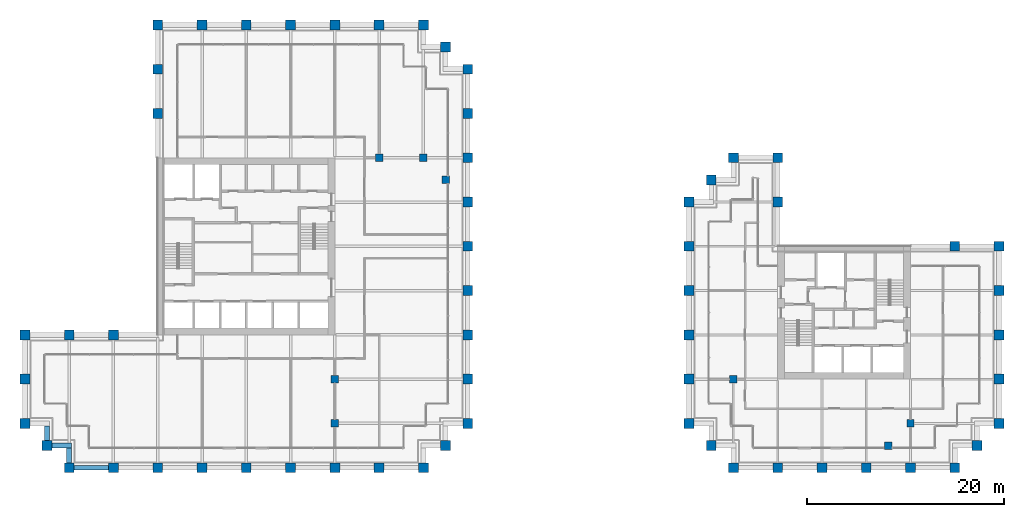
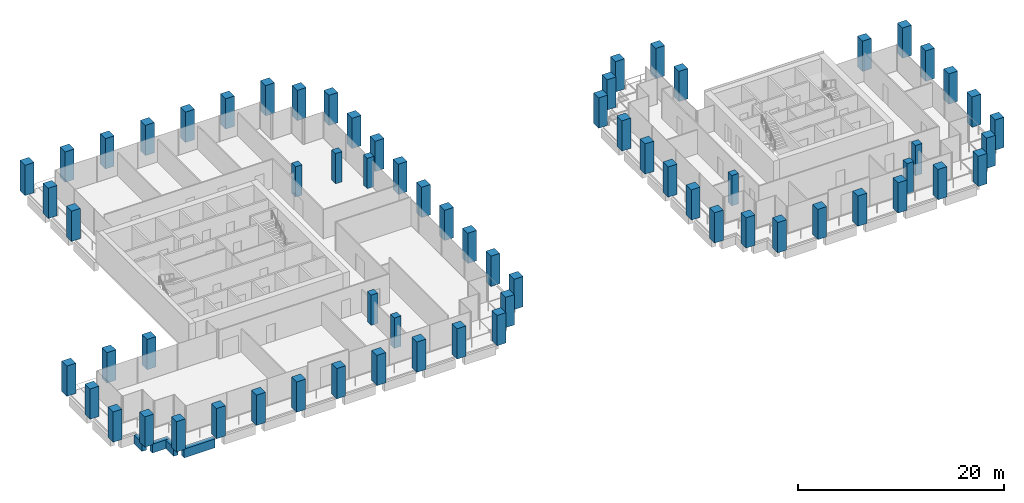
# One storey, part 1 of 46: 67 columns, 4 beams.
"""IFC4 building model written with IfcOpenShell, lengths in metres."""

from ifc_helpers import new_model, si_unit, direction, frame, origin, origin_2d, place, context, subcontext, project, spatial, rectangle, extrude, material, material_profile, profile_set, type_object, element, save


model = new_model("IFC4")

# Units and contexts
model_context = context("Model", 3, precision=1e-05, world=origin(), true_north=direction((0.0, 1.0)))
body_context = subcontext(model_context, "Body", "Model", "MODEL_VIEW")
ifc_project = project(units=[si_unit("LENGTHUNIT", "METRE"), si_unit("AREAUNIT", "SQUARE_METRE"), si_unit("VOLUMEUNIT", "CUBIC_METRE"), si_unit("PLANEANGLEUNIT", "RADIAN"), si_unit("MASSUNIT", "GRAM", prefix="KILO")], contexts=[model_context])

# Site, building, storey
site_placement = place(None, origin())
site = spatial("IfcSite", under=ifc_project, at=site_placement, CompositionType="ELEMENT")
building_placement = place(site_placement, origin())
building = spatial("IfcBuilding", under=site, at=building_placement, Name="Altepetl Exchange Towers", CompositionType="ELEMENT")
storey_placement = place(building_placement, frame((0.0, 0.0, 120.800048828125)))
storey = spatial("IfcBuildingStorey", under=building, at=storey_placement, Name="L29", CompositionType="ELEMENT", Elevation=120.800048828125)

# Columns
ifc_material_1 = material(Name="Concrete C70/85", Category="concrete")
ifc_material_profile_1 = material_profile(ifc_material_1, rectangle(XDim=0.75, YDim=0.75, at=origin_2d()), Name="750 x 750")
ifc_profile_set_1 = profile_set([ifc_material_profile_1], Name="Concrete C70/85")
column_type_1 = type_object("IfcColumnType", Name="Interior column 750", PredefinedType="COLUMN", material=ifc_profile_set_1)
for number, where, name in (
    (1, (58.5, 31.5, 0.0), "col:A:L29:035"),
    (2, (58.5, 36.0, 0.0), "col:A:L29:036"),
    (3, (63.0, 58.5, 0.0), "col:A:L29:037"),
    (4, (67.5, 58.5, 0.0), "col:A:L29:038"),
    (5, (69.75, 56.25, 0.0), "col:A:L29:039"),
    (6, (99.0, 36.0, 0.0), "col:B:L29:024"),
    (7, (114.75, 29.25, 0.0), "col:B:L29:025"),
    (8, (117.0, 31.5, 0.0), "col:B:L29:026"),
):
    element("IfcColumn", number, at=place(storey_placement, frame(where)), inside=storey, type_object=column_type_1, Name=name, PredefinedType="COLUMN", context=body_context, shape_type="SweptSolid", body=[
        extrude(rectangle(XDim=0.75, YDim=0.75, at=origin_2d()), origin(), (0.0, 0.0, 1.0), 3.599853515625),
    ])
ifc_material_2 = material(Name="Concrete C70/85 precast with cantera amarilla facing", Category="concrete")
ifc_material_profile_2 = material_profile(ifc_material_2, rectangle(XDim=1.0, YDim=1.0, at=origin_2d()), Name="1000 x 1000")
ifc_profile_set_2 = profile_set([ifc_material_profile_2], Name="Concrete C70/85 precast with cantera amarilla facing")
column_type_2 = type_object("IfcColumnType", Name="Perimeter column 1000 cantera amarilla", PredefinedType="COLUMN", material=ifc_profile_set_2)
for number, where, name in (
    (9, (58.5, 27.0, 0.0), "col:A:L29:006"),
    (10, (63.0, 27.0, 0.0), "col:A:L29:007"),
    (11, (67.5, 27.0, 0.0), "col:A:L29:008"),
    (12, (69.75, 29.25, 0.0), "col:A:L29:009"),
    (13, (72.0, 31.5, 0.0), "col:A:L29:010"),
    (14, (72.0, 36.0, 0.0), "col:A:L29:011"),
    (15, (72.0, 40.5, 0.0), "col:A:L29:012"),
    (16, (72.0, 45.0, 0.0), "col:A:L29:013"),
    (17, (72.0, 49.5, 0.0), "col:A:L29:014"),
    (18, (72.0, 54.0, 0.0), "col:A:L29:015"),
    (19, (126.0, 49.5, 0.0), "col:B:L29:011"),
    (20, (121.5, 49.5, 0.0), "col:B:L29:012"),
):
    element("IfcColumn", number, at=place(storey_placement, frame(where)), inside=storey, type_object=column_type_2, Name=name, PredefinedType="COLUMN", context=body_context, shape_type="SweptSolid", body=[
        extrude(rectangle(XDim=1.0, YDim=1.0, at=origin_2d()), origin(), (0.0, 0.0, 1.0), 3.599853515625),
    ])
ifc_material_3 = material(Name="Concrete C70/85 precast with cantera blanca facing", Category="concrete")
ifc_material_profile_3 = material_profile(ifc_material_3, rectangle(XDim=1.0, YDim=1.0, at=origin_2d()), Name="1000 x 1000")
ifc_profile_set_3 = profile_set([ifc_material_profile_3], Name="Concrete C70/85 precast with cantera blanca facing")
column_type_3 = type_object("IfcColumnType", Name="Perimeter column 1000 cantera blanca", PredefinedType="COLUMN", material=ifc_profile_set_3)
for number, where, name in (
    (21, (31.5, 27.0, 0.0), "col:A:L29:000"),
    (22, (36.0, 27.0, 0.0), "col:A:L29:001"),
    (23, (40.5, 27.0, 0.0), "col:A:L29:002"),
    (24, (45.0, 27.0, 0.0), "col:A:L29:003"),
    (25, (49.5, 27.0, 0.0), "col:A:L29:004"),
    (26, (54.0, 27.0, 0.0), "col:A:L29:005"),
    (27, (27.0, 36.0, 0.0), "col:A:L29:032"),
    (28, (27.0, 31.5, 0.0), "col:A:L29:033"),
    (29, (29.25, 29.25, 0.0), "col:A:L29:034"),
    (30, (117.0, 27.0, 0.0), "col:B:L29:004"),
    (31, (121.5, 27.0, 0.0), "col:B:L29:005"),
    (32, (123.75, 29.25, 0.0), "col:B:L29:006"),
    (33, (126.0, 31.5, 0.0), "col:B:L29:007"),
    (34, (126.0, 36.0, 0.0), "col:B:L29:008"),
    (35, (126.0, 40.5, 0.0), "col:B:L29:009"),
    (36, (126.0, 45.0, 0.0), "col:B:L29:010"),
):
    element("IfcColumn", number, at=place(storey_placement, frame(where)), inside=storey, type_object=column_type_3, Name=name, PredefinedType="COLUMN", context=body_context, shape_type="SweptSolid", body=[
        extrude(rectangle(XDim=1.0, YDim=1.0, at=origin_2d()), origin(), (0.0, 0.0, 1.0), 3.599853515625),
    ])
ifc_material_4 = material(Name="Concrete C70/85 precast with cantera rosa facing", Category="concrete")
ifc_material_profile_4 = material_profile(ifc_material_4, rectangle(XDim=1.0, YDim=1.0, at=origin_2d()), Name="1000 x 1000")
ifc_profile_set_4 = profile_set([ifc_material_profile_4], Name="Concrete C70/85 precast with cantera rosa facing")
column_type_4 = type_object("IfcColumnType", Name="Perimeter column 1000 cantera rosa", PredefinedType="COLUMN", material=ifc_profile_set_4)
for number, where, name in (
    (37, (72.0, 58.5, 0.0), "col:A:L29:016"),
    (38, (72.0, 63.0, 0.0), "col:A:L29:017"),
    (39, (72.0, 67.5, 0.0), "col:A:L29:018"),
    (40, (69.75, 69.75, 0.0), "col:A:L29:019"),
    (41, (67.5, 72.0, 0.0), "col:A:L29:020"),
    (42, (63.0, 72.0, 0.0), "col:A:L29:021"),
    (43, (58.5, 72.0, 0.0), "col:A:L29:022"),
    (44, (54.0, 72.0, 0.0), "col:A:L29:023"),
    (45, (49.5, 72.0, 0.0), "col:A:L29:024"),
    (46, (45.0, 72.0, 0.0), "col:A:L29:025"),
    (47, (103.5, 54.0, 0.0), "col:B:L29:013"),
    (48, (103.5, 58.5, 0.0), "col:B:L29:014"),
    (49, (99.0, 58.5, 0.0), "col:B:L29:015"),
    (50, (96.75, 56.25, 0.0), "col:B:L29:016"),
    (51, (94.5, 54.0, 0.0), "col:B:L29:017"),
    (52, (94.5, 49.5, 0.0), "col:B:L29:018"),
    (53, (94.5, 45.0, 0.0), "col:B:L29:019"),
    (54, (94.5, 40.5, 0.0), "col:B:L29:020"),
    (55, (94.5, 36.0, 0.0), "col:B:L29:021"),
):
    element("IfcColumn", number, at=place(storey_placement, frame(where)), inside=storey, type_object=column_type_4, Name=name, PredefinedType="COLUMN", context=body_context, shape_type="SweptSolid", body=[
        extrude(rectangle(XDim=1.0, YDim=1.0, at=origin_2d()), origin(), (0.0, 0.0, 1.0), 3.599853515625),
    ])
ifc_material_5 = material(Name="Concrete C70/85 precast with tezontle facing", Category="concrete")
ifc_material_profile_5 = material_profile(ifc_material_5, rectangle(XDim=1.0, YDim=1.0, at=origin_2d()), Name="1000 x 1000")
ifc_profile_set_5 = profile_set([ifc_material_profile_5], Name="Concrete C70/85 precast with tezontle facing")
column_type_5 = type_object("IfcColumnType", Name="Perimeter column 1000 tezontle", PredefinedType="COLUMN", material=ifc_profile_set_5)
for number, where, name in (
    (56, (40.5, 72.0, 0.0), "col:A:L29:026"),
    (57, (40.5, 67.5, 0.0), "col:A:L29:027"),
    (58, (40.5, 63.0, 0.0), "col:A:L29:028"),
    (59, (36.0, 40.5, 0.0), "col:A:L29:029"),
    (60, (31.5, 40.5, 0.0), "col:A:L29:030"),
    (61, (27.0, 40.5, 0.0), "col:A:L29:031"),
    (62, (99.0, 27.0, 0.0), "col:B:L29:000"),
    (63, (103.5, 27.0, 0.0), "col:B:L29:001"),
    (64, (108.0, 27.0, 0.0), "col:B:L29:002"),
    (65, (112.5, 27.0, 0.0), "col:B:L29:003"),
    (66, (94.5, 31.5, 0.0), "col:B:L29:022"),
    (67, (96.75, 29.25, 0.0), "col:B:L29:023"),
):
    element("IfcColumn", number, at=place(storey_placement, frame(where)), inside=storey, type_object=column_type_5, Name=name, PredefinedType="COLUMN", context=body_context, shape_type="SweptSolid", body=[
        extrude(rectangle(XDim=1.0, YDim=1.0, at=origin_2d()), origin(), (0.0, 0.0, 1.0), 3.599853515625),
    ])

# Beams
ifc_material_6 = material(Name="Concrete C50/60 precast with cantera blanca facing", Category="concrete")
ifc_material_profile_6 = material_profile(ifc_material_6, rectangle(XDim=0.5, YDim=1.050048828125, at=origin_2d()), Name="500 x 1050")
ifc_profile_set_6 = profile_set([ifc_material_profile_6], Name="Concrete C50/60 precast with cantera blanca facing")
beam_type = type_object("IfcBeamType", Name="Spandrel beam 500x1050 cantera blanca", PredefinedType="SPANDREL", material=ifc_profile_set_6)
beam_1_placement = place(storey_placement, frame((32.0, 27.0, -0.675048828125), z_axis=(1.0, 0.0, 0.0), x_axis=(0.0, 1.0, 0.0)))
element("IfcBeam", 68, at=beam_1_placement, inside=storey, type_object=beam_type, Name="sp:A:L29:000", PredefinedType="SPANDREL", context=body_context, shape_type="SweptSolid", body=[
    extrude(rectangle(XDim=0.5, YDim=1.050048828125, at=origin_2d()), origin(), (0.0, 0.0, 1.0), 3.5),
])
beam_2_placement = place(storey_placement, frame((29.25, 31.25, -0.675048828125), z_axis=(0.0, -1.0, 0.0), x_axis=(1.0, 0.0, 0.0)))
element("IfcBeam", 69, at=beam_2_placement, inside=storey, type_object=beam_type, Name="sp:A:L29:039", PredefinedType="SPANDREL", context=body_context, shape_type="SweptSolid", body=[
    extrude(rectangle(XDim=0.5, YDim=1.050048828125, at=origin_2d()), origin(), (0.0, 0.0, 1.0), 1.5),
])
beam_3_placement = place(storey_placement, frame((29.75, 29.25, -0.675048828125), z_axis=(1.0, 0.0, 0.0), x_axis=(0.0, 1.0, 0.0)))
element("IfcBeam", 70, at=beam_3_placement, inside=storey, type_object=beam_type, Name="sp:A:L29:040", PredefinedType="SPANDREL", context=body_context, shape_type="SweptSolid", body=[
    extrude(rectangle(XDim=0.5, YDim=1.050048828125, at=origin_2d()), origin(), (0.0, 0.0, 1.0), 2.0),
])
beam_4_placement = place(storey_placement, frame((31.5, 29.0, -0.675048828125), z_axis=(0.0, -1.0, 0.0), x_axis=(1.0, 0.0, 0.0)))
element("IfcBeam", 71, at=beam_4_placement, inside=storey, type_object=beam_type, Name="sp:A:L29:041", PredefinedType="SPANDREL", context=body_context, shape_type="SweptSolid", body=[
    extrude(rectangle(XDim=0.5, YDim=1.050048828125, at=origin_2d()), origin(), (0.0, 0.0, 1.0), 1.5),
])

save(model, "model.ifc")
